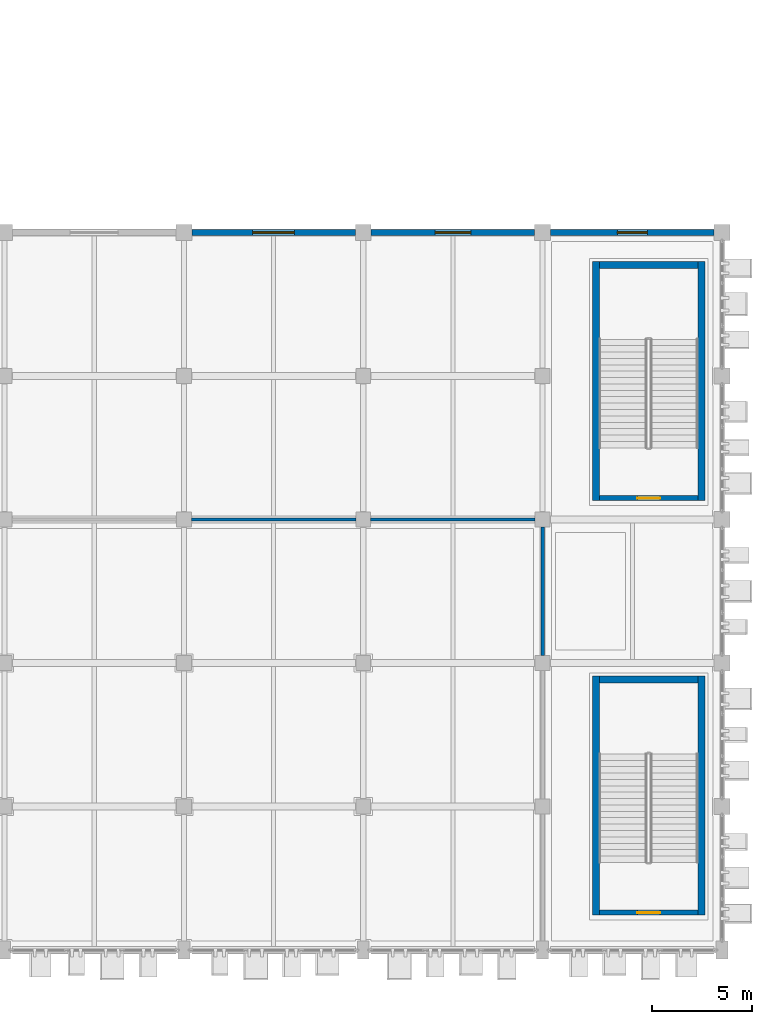
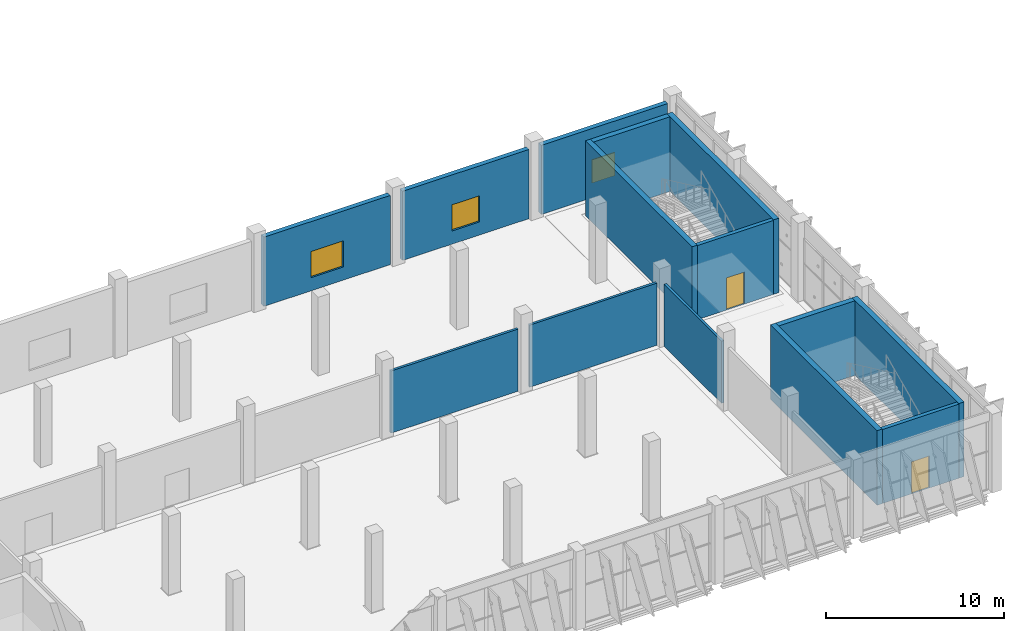
# One storey, part 92 of 137: 14 walls, 3 windows, 2 doors, 5 openings.
"""IFC4 building model written with IfcOpenShell, lengths in metres."""

from ifc_helpers import new_model, si_unit, direction, frame, frame_2d, origin, place, context, subcontext, project, spatial, rectangle, extrude, material, layer, layer_set, type_object, element, fill, save


model = new_model("IFC4")

# Units and contexts
model_context = context("Model", 3, precision=1e-05, world=origin(), true_north=direction((0.0, 1.0)))
body_context = subcontext(model_context, "Body", "Model", "MODEL_VIEW")
ifc_project = project(units=[si_unit("LENGTHUNIT", "METRE"), si_unit("AREAUNIT", "SQUARE_METRE"), si_unit("VOLUMEUNIT", "CUBIC_METRE"), si_unit("PLANEANGLEUNIT", "RADIAN"), si_unit("MASSUNIT", "GRAM", prefix="KILO")], contexts=[model_context])

# Site, building, storey
site_placement = place(None, origin())
site = spatial("IfcSite", under=ifc_project, at=site_placement, CompositionType="ELEMENT")
building_placement = place(site_placement, origin())
building = spatial("IfcBuilding", under=site, at=building_placement, Name="Celestram Park Convention Centre", CompositionType="ELEMENT")
storey_placement = place(building_placement, origin())
storey = spatial("IfcBuildingStorey", under=building, at=storey_placement, Name="L00", CompositionType="ELEMENT", Elevation=0.0)

# Wall, opening, door
ifc_material_1 = material(Name="Concrete Block Masonry C25/30", Category="masonry")
ifc_layer_1 = layer(ifc_material_1, 0.25)
ifc_layer_set_1 = layer_set([ifc_layer_1], Name="Concrete Block Masonry C25/30")
wall_type_1 = type_object("IfcWallType", Name="ARC-WL-COR250", PredefinedType="STANDARD", material=ifc_layer_set_1)
wall_1_placement = place(storey_placement, frame((214.800048828125, 1.875, 0.0), z_axis=(0.0, 0.0, 1.0), x_axis=(-1.0, 0.0, 0.0)))
wall_1 = element("IfcWall", 1, at=wall_1_placement, inside=storey, type_object=wall_type_1, Name="Core S11 stair entrance wall", PredefinedType="STANDARD", context=body_context, shape_type="SweptSolid", body=[
    extrude(rectangle(XDim=4.9599609375, YDim=0.25, at=frame_2d((2.47998046875, 0.0))), origin(), (0.0, 0.0, 1.0), 5.080078125),
])
opening_1_placement = place(wall_1_placement, frame((1.905029296875, 0.0, 0.0)))
opening_1 = element("IfcOpeningElement", 2, at=opening_1_placement, cuts=wall_1, Name="Opening D-ST1", PredefinedType="OPENING", context=body_context, shape_type="SweptSolid", body=[
    extrude(rectangle(XDim=1.14990234375, YDim=2.199951171875, at=frame_2d((0.574951171875, 1.10009765625))), frame((0.0, 0.135009765625, 0.0), z_axis=(0.0, -1.0, 0.0), x_axis=(1.0, 0.0, 0.0)), (0.0, 0.0, 1.0), 0.27001953125),
])
ifc_material_2 = material(Name="Fire-Rated Hollow Metal Steel ASTM A653", Category="steel")
door_type = type_object("IfcDoorType", Name="ARC-DR-ST115", OperationType="NOTDEFINED", PredefinedType="DOOR", material=ifc_material_2)
door_1_placement = place(opening_1_placement, origin())
door_1 = element("IfcDoor", 3, at=door_1_placement, inside=storey, type_object=door_type, Name="Exit stair ST-11 fire door", OperationType="SINGLE_SWING_LEFT", OverallHeight=2.199951171875, OverallWidth=1.14990234375, PredefinedType="DOOR", context=body_context, shape_type="SweptSolid", body=[
    extrude(rectangle(XDim=1.14990234375, YDim=2.199951171875, at=frame_2d((0.574951171875, 1.10009765625))), frame((0.0, 0.02490234375, 0.0), z_axis=(0.0, -1.0, 0.0), x_axis=(1.0, 0.0, 0.0)), (0.0, 0.0, 1.0), 0.050048828125),
])
fill(opening_1, door_1)

wall_2_placement = place(storey_placement, frame((214.800048828125, 22.675048828125, 0.0), z_axis=(0.0, 0.0, 1.0), x_axis=(-1.0, 0.0, 0.0)))
wall_2 = element("IfcWall", 4, at=wall_2_placement, inside=storey, type_object=wall_type_1, Name="Core S12 stair entrance wall", PredefinedType="STANDARD", context=body_context, shape_type="SweptSolid", body=[
    extrude(rectangle(XDim=4.9599609375, YDim=0.25, at=frame_2d((2.47998046875, 0.0))), origin(), (0.0, 0.0, 1.0), 5.080078125),
])
opening_2_placement = place(wall_2_placement, frame((1.905029296875, 0.0, 0.0)))
opening_2 = element("IfcOpeningElement", 5, at=opening_2_placement, cuts=wall_2, Name="Opening D-ST1", PredefinedType="OPENING", context=body_context, shape_type="SweptSolid", body=[
    extrude(rectangle(XDim=1.14990234375, YDim=2.199951171875, at=frame_2d((0.574951171875, 1.10009765625))), frame((0.0, 0.135009765625, 0.0), z_axis=(0.0, -1.0, 0.0), x_axis=(1.0, 0.0, 0.0)), (0.0, 0.0, 1.0), 0.27001953125),
])
door_2_placement = place(opening_2_placement, origin())
door_2 = element("IfcDoor", 6, at=door_2_placement, inside=storey, type_object=door_type, Name="Exit stair ST-12 fire door", OperationType="SINGLE_SWING_RIGHT", OverallHeight=2.199951171875, OverallWidth=1.14990234375, PredefinedType="DOOR", context=body_context, shape_type="SweptSolid", body=[
    extrude(rectangle(XDim=1.14990234375, YDim=2.199951171875, at=frame_2d((0.574951171875, 1.10009765625))), frame((0.0, 0.02490234375, 0.0), z_axis=(0.0, -1.0, 0.0), x_axis=(1.0, 0.0, 0.0)), (0.0, 0.0, 1.0), 0.050048828125),
])
fill(opening_2, door_2)

# Wall, opening, window
ifc_material_3 = material(Name="Precast Concrete C40/50", Category="concrete")
ifc_layer_2 = layer(ifc_material_3, 0.300048828125)
ifc_layer_set_2 = layer_set([ifc_layer_2], Name="Precast Concrete C40/50")
wall_type_2 = type_object("IfcWallType", Name="ARC-WL-EXT300", PredefinedType="STANDARD", material=ifc_layer_set_2)
wall_3_placement = place(storey_placement, frame((189.39794921875, 36.0, 0.0), z_axis=(0.0, 0.0, 1.0), x_axis=(1.0, 0.0, 0.0)))
wall_3 = element("IfcWall", 7, at=wall_3_placement, inside=storey, type_object=wall_type_2, Name="Bush-hammered precast exterior wall WL-L00-EW058", PredefinedType="STANDARD", context=body_context, shape_type="SweptSolid", body=[
    extrude(rectangle(XDim=8.2041015625, YDim=0.300048828125, at=frame_2d((4.10205078125, 0.0))), origin(), (0.0, 0.0, 1.0), 4.7470703125),
])
opening_3_placement = place(wall_3_placement, frame((3.052001953125, 0.0, 0.89990234375)))
opening_3 = element("IfcOpeningElement", 8, at=opening_3_placement, cuts=wall_3, Name="Opening W-05", PredefinedType="OPENING", context=body_context, shape_type="SweptSolid", body=[
    extrude(rectangle(XDim=2.10009765625, YDim=1.800048828125, at=frame_2d((1.050048828125, 0.89990234375))), frame((0.0, 0.159912109375, 0.0), z_axis=(0.0, -1.0, 0.0), x_axis=(1.0, 0.0, 0.0)), (0.0, 0.0, 1.0), 0.320068359375),
])
ifc_material_4 = material(Name="Thermally Broken Aluminium & Triple Glazing", Category="aluminium")
window_type_1 = type_object("IfcWindowType", Name="ARC-WN-210X180", PartitioningType="SINGLE_PANEL", PredefinedType="WINDOW", material=ifc_material_4)
window_1_placement = place(opening_3_placement, origin())
window_1 = element("IfcWindow", 9, at=window_1_placement, inside=storey, type_object=window_type_1, Name="Punched exterior window WN-L00-005", OverallHeight=1.800048828125, OverallWidth=2.10009765625, PartitioningType="SINGLE_PANEL", PredefinedType="WINDOW", context=body_context, shape_type="SweptSolid", body=[
    extrude(rectangle(XDim=2.10009765625, YDim=1.800048828125, at=frame_2d((1.050048828125, 0.89990234375))), frame((0.0, 0.030029296875, 0.0), z_axis=(0.0, -1.0, 0.0), x_axis=(1.0, 0.0, 0.0)), (0.0, 0.0, 1.0), 0.06005859375),
])
fill(opening_3, window_1)

wall_4_placement = place(storey_placement, frame((198.39794921875, 36.0, 0.0), z_axis=(0.0, 0.0, 1.0), x_axis=(1.0, 0.0, 0.0)))
wall_4 = element("IfcWall", 10, at=wall_4_placement, inside=storey, type_object=wall_type_2, Name="Bush-hammered precast exterior wall WL-L00-EW059", PredefinedType="STANDARD", context=body_context, shape_type="SweptSolid", body=[
    extrude(rectangle(XDim=8.2041015625, YDim=0.300048828125, at=frame_2d((4.10205078125, 0.0))), origin(), (0.0, 0.0, 1.0), 4.7470703125),
])
opening_4_placement = place(wall_4_placement, frame((3.201904296875, 0.0, 0.89990234375)))
opening_4 = element("IfcOpeningElement", 11, at=opening_4_placement, cuts=wall_4, Name="Opening W-06", PredefinedType="OPENING", context=body_context, shape_type="SweptSolid", body=[
    extrude(rectangle(XDim=1.800048828125, YDim=1.800048828125, at=frame_2d((0.89990234375, 0.89990234375))), frame((0.0, 0.159912109375, 0.0), z_axis=(0.0, -1.0, 0.0), x_axis=(1.0, 0.0, 0.0)), (0.0, 0.0, 1.0), 0.320068359375),
])
window_type_2 = type_object("IfcWindowType", Name="ARC-WN-180X180", PartitioningType="SINGLE_PANEL", PredefinedType="WINDOW", material=ifc_material_4)
window_2_placement = place(opening_4_placement, origin())
window_2 = element("IfcWindow", 12, at=window_2_placement, inside=storey, type_object=window_type_2, Name="Punched exterior window WN-L00-006", OverallHeight=1.800048828125, OverallWidth=1.800048828125, PartitioningType="SINGLE_PANEL", PredefinedType="WINDOW", context=body_context, shape_type="SweptSolid", body=[
    extrude(rectangle(XDim=1.800048828125, YDim=1.800048828125, at=frame_2d((0.89990234375, 0.89990234375))), frame((0.0, 0.030029296875, 0.0), z_axis=(0.0, -1.0, 0.0), x_axis=(1.0, 0.0, 0.0)), (0.0, 0.0, 1.0), 0.06005859375),
])
fill(opening_4, window_2)

wall_5_placement = place(storey_placement, frame((207.39794921875, 36.0, 0.0), z_axis=(0.0, 0.0, 1.0), x_axis=(1.0, 0.0, 0.0)))
wall_5 = element("IfcWall", 13, at=wall_5_placement, inside=storey, type_object=wall_type_2, Name="Bush-hammered precast exterior wall WL-L00-EW060", PredefinedType="STANDARD", context=body_context, shape_type="SweptSolid", body=[
    extrude(rectangle(XDim=8.2041015625, YDim=0.300048828125, at=frame_2d((4.10205078125, 0.0))), origin(), (0.0, 0.0, 1.0), 4.7470703125),
])
opening_5_placement = place(wall_5_placement, frame((3.35205078125, 0.0, 0.89990234375)))
opening_5 = element("IfcOpeningElement", 14, at=opening_5_placement, cuts=wall_5, Name="Opening W-07", PredefinedType="OPENING", context=body_context, shape_type="SweptSolid", body=[
    extrude(rectangle(XDim=1.5, YDim=1.60009765625, at=frame_2d((0.75, 0.800048828125))), frame((0.0, 0.159912109375, 0.0), z_axis=(0.0, -1.0, 0.0), x_axis=(1.0, 0.0, 0.0)), (0.0, 0.0, 1.0), 0.320068359375),
])
window_type_3 = type_object("IfcWindowType", Name="ARC-WN-150X160", PartitioningType="SINGLE_PANEL", PredefinedType="WINDOW", material=ifc_material_4)
window_3_placement = place(opening_5_placement, origin())
window_3 = element("IfcWindow", 15, at=window_3_placement, inside=storey, type_object=window_type_3, Name="Punched exterior window WN-L00-007", OverallHeight=1.60009765625, OverallWidth=1.5, PartitioningType="SINGLE_PANEL", PredefinedType="WINDOW", context=body_context, shape_type="SweptSolid", body=[
    extrude(rectangle(XDim=1.5, YDim=1.60009765625, at=frame_2d((0.75, 0.800048828125))), frame((0.0, 0.030029296875, 0.0), z_axis=(0.0, -1.0, 0.0), x_axis=(1.0, 0.0, 0.0)), (0.0, 0.0, 1.0), 0.06005859375),
])
fill(opening_5, window_3)

# Walls
ifc_material_5 = material(Name="Acoustic Gypsum & Steel Stud 160 mm", Category="steel")
ifc_layer_3 = layer(ifc_material_5, 0.159912109375)
ifc_layer_set_3 = layer_set([ifc_layer_3], Name="Acoustic Gypsum & Steel Stud 160 mm")
wall_type_3 = type_object("IfcWallType", Name="ARC-WL-PRT160", PredefinedType="PARTITIONING", material=ifc_layer_set_3)
for number, where, z_axis, x_axis, name in (
    (16, (189.373046875, 21.60009765625, 0.0), (0.0, 0.0, 1.0), (1.0, 0.0, 0.0), "Interior partition WL-L00-IN0553"),
    (17, (198.373046875, 21.60009765625, 0.0), (0.0, 0.0, 1.0), (1.0, 0.0, 0.0), "Interior partition WL-L00-IN0554"),
):
    element("IfcWall", number, at=place(storey_placement, frame(where, z_axis=z_axis, x_axis=x_axis)), inside=storey, type_object=wall_type_3, Name=name, PredefinedType="PARTITIONING", context=body_context, shape_type="SweptSolid", body=[
        extrude(rectangle(XDim=8.25390625, YDim=0.159912109375, at=frame_2d((4.126953125, 0.0))), origin(), (0.0, 0.0, 1.0), 4.263916015625),
    ])
wall_6_placement = place(storey_placement, frame((207.0, 14.77294921875, 0.0), z_axis=(0.0, 0.0, 1.0), x_axis=(0.0, 1.0, 0.0)))
element("IfcWall", 18, at=wall_6_placement, inside=storey, type_object=wall_type_3, Name="Interior partition WL-L00-IN0687", PredefinedType="PARTITIONING", context=body_context, shape_type="SweptSolid", body=[
    extrude(rectangle(XDim=6.4541015625, YDim=0.159912109375, at=frame_2d((3.22705078125, 0.0))), origin(), (0.0, 0.0, 1.0), 4.263916015625),
])
ifc_material_6 = material(Name="Concrete C40/50", Category="concrete")
ifc_layer_4 = layer(ifc_material_6, 0.340087890625)
ifc_layer_set_4 = layer_set([ifc_layer_4], Name="Concrete C40/50")
wall_type_4 = type_object("IfcWallType", Name="STR-WL-SHR340", PredefinedType="SHEAR", material=ifc_layer_set_4)
for number, where, z_axis, x_axis, name in (
    (19, (209.669921875, 1.75, 0.0), (0.0, 0.0, 1.0), (0.0, 1.0, 0.0), "Core S11 shear wall L"),
    (20, (214.969970703125, 13.739990234375, 0.0), (0.0, 0.0, 1.0), (0.0, -1.0, 0.0), "Core S11 shear wall R"),
):
    element("IfcWall", number, at=place(storey_placement, frame(where, z_axis=z_axis, x_axis=x_axis)), inside=storey, type_object=wall_type_4, Name=name, PredefinedType="SHEAR", context=body_context, shape_type="SweptSolid", body=[
        extrude(rectangle(XDim=11.989990234375, YDim=0.340087890625, at=frame_2d((5.9951171875, 0.0))), origin(), (0.0, 0.0, 1.0), 5.1201171875),
    ])
wall_7_placement = place(storey_placement, frame((209.840087890625, 13.570068359375, 0.0), z_axis=(0.0, 0.0, 1.0), x_axis=(1.0, 0.0, 0.0)))
element("IfcWall", 21, at=wall_7_placement, inside=storey, type_object=wall_type_4, Name="Core S11 shear wall F", PredefinedType="SHEAR", context=body_context, shape_type="SweptSolid", body=[
    extrude(rectangle(XDim=4.9599609375, YDim=0.340087890625, at=frame_2d((2.47998046875, 0.0))), origin(), (0.0, 0.0, 1.0), 5.1201171875),
])
for number, where, z_axis, x_axis, name in (
    (22, (209.669921875, 22.550048828125, 0.0), (0.0, 0.0, 1.0), (0.0, 1.0, 0.0), "Core S12 shear wall L"),
    (23, (214.969970703125, 34.5400390625, 0.0), (0.0, 0.0, 1.0), (0.0, -1.0, 0.0), "Core S12 shear wall R"),
):
    element("IfcWall", number, at=place(storey_placement, frame(where, z_axis=z_axis, x_axis=x_axis)), inside=storey, type_object=wall_type_4, Name=name, PredefinedType="SHEAR", context=body_context, shape_type="SweptSolid", body=[
        extrude(rectangle(XDim=11.989990234375, YDim=0.340087890625, at=frame_2d((5.9951171875, 0.0))), origin(), (0.0, 0.0, 1.0), 5.1201171875),
    ])
wall_8_placement = place(storey_placement, frame((209.840087890625, 34.3701171875, 0.0), z_axis=(0.0, 0.0, 1.0), x_axis=(1.0, 0.0, 0.0)))
element("IfcWall", 24, at=wall_8_placement, inside=storey, type_object=wall_type_4, Name="Core S12 shear wall F", PredefinedType="SHEAR", context=body_context, shape_type="SweptSolid", body=[
    extrude(rectangle(XDim=4.9599609375, YDim=0.340087890625, at=frame_2d((2.47998046875, 0.0))), origin(), (0.0, 0.0, 1.0), 5.1201171875),
])

save(model, "model.ifc")
